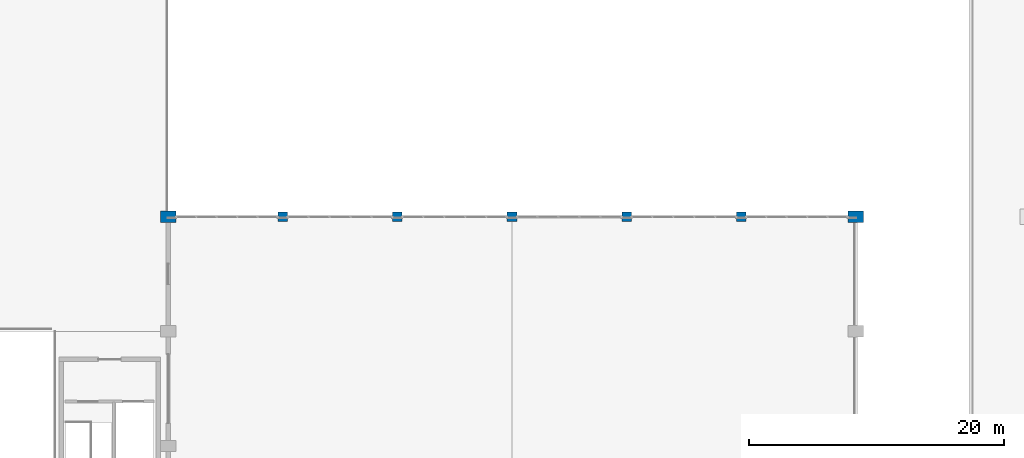
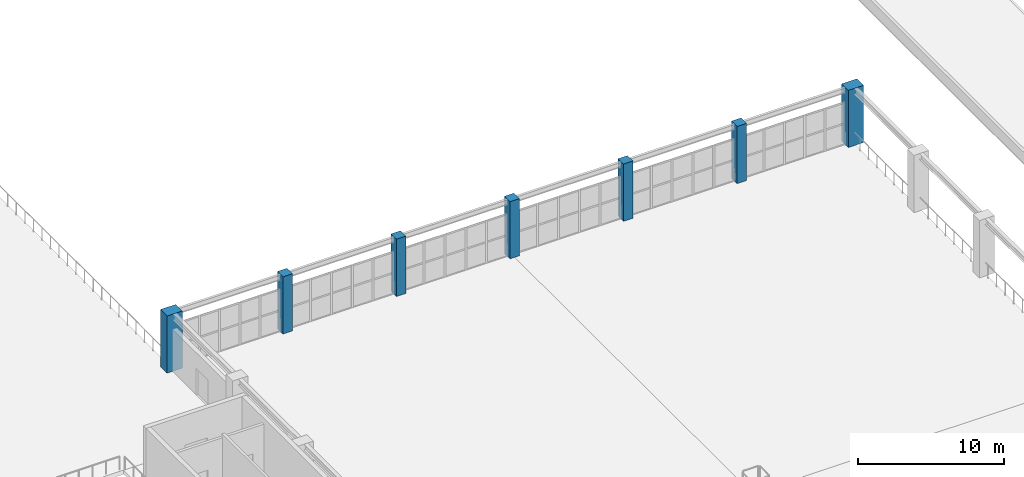
# One storey, part 3 of 89: 7 columns.
"""IFC4 building model written with IfcOpenShell, lengths in metres."""

from ifc_helpers import new_model, si_unit, direction, frame, origin, origin_2d, place, context, subcontext, project, spatial, rectangle, extrude, material, material_profile, profile_set, type_object, element, save


model = new_model("IFC4")

# Units and contexts
model_context = context("Model", 3, precision=1e-05, world=origin(), true_north=direction((0.0, 1.0)))
body_context = subcontext(model_context, "Body", "Model", "MODEL_VIEW")
ifc_project = project(units=[si_unit("LENGTHUNIT", "METRE"), si_unit("AREAUNIT", "SQUARE_METRE"), si_unit("VOLUMEUNIT", "CUBIC_METRE"), si_unit("PLANEANGLEUNIT", "RADIAN"), si_unit("MASSUNIT", "GRAM", prefix="KILO")], contexts=[model_context])

# Site, building, storey
site_placement = place(None, origin())
site = spatial("IfcSite", under=ifc_project, at=site_placement, CompositionType="ELEMENT")
building_placement = place(site_placement, origin())
building = spatial("IfcBuilding", under=site, at=building_placement, Name="Dornveld Trade and Exhibition Forum", CompositionType="ELEMENT")
storey_placement = place(building_placement, frame((0.0, 0.0, 12.0)))
storey = spatial("IfcBuildingStorey", under=building, at=storey_placement, Name="L02", CompositionType="ELEMENT", Elevation=12.0)

# Columns
ifc_material_1 = material(Name="Precast concrete C50/60", Category="concrete")
ifc_material_profile_1 = material_profile(ifc_material_1, rectangle(XDim=1.199951171875, YDim=0.89990234375, at=origin_2d()), Name="PC-PIER 1200x900")
ifc_profile_set_1 = profile_set([ifc_material_profile_1], Name="Precast concrete C50/60")
column_type_1 = type_object("IfcColumnType", Name="COL-PIER1200", PredefinedType="COLUMN", material=ifc_profile_set_1)
for number, where, z_axis, x_axis, name in (
    (1, (27.0, 135.0, 0.0), (0.0, 0.0, 1.0), (1.0, 0.0, 0.0), "L02 column (27.0, 135.0)"),
    (2, (81.0, 135.0, 0.0), (0.0, 0.0, 1.0), (1.0, 0.0, 0.0), "L02 column (81.0, 135.0)"),
):
    element("IfcColumn", number, at=place(storey_placement, frame(where, z_axis=z_axis, x_axis=x_axis)), inside=storey, type_object=column_type_1, Name=name, PredefinedType="COLUMN", context=body_context, shape_type="SweptSolid", body=[
        extrude(rectangle(XDim=1.199951171875, YDim=0.89990234375, at=origin_2d()), origin(), (0.0, 0.0, 1.0), 4.800048828125),
    ])
ifc_material_2 = material(Name="Precast concrete C50/60", Category="concrete")
ifc_material_profile_2 = material_profile(ifc_material_2, rectangle(XDim=0.75, YDim=0.75, at=origin_2d()), Name="PC-COL 750x750")
ifc_profile_set_2 = profile_set([ifc_material_profile_2], Name="Precast concrete C50/60")
column_type_2 = type_object("IfcColumnType", Name="COL-PILASTER750", PredefinedType="PILASTER", material=ifc_profile_set_2)
for number, where, z_axis, x_axis, name in (
    (3, (36.0, 135.0, 0.0), (0.0, 0.0, 1.0), (1.0, 0.0, 0.0), "L02 column (36.0, 135.0)"),
    (4, (45.0, 135.0, 0.0), (0.0, 0.0, 1.0), (1.0, 0.0, 0.0), "L02 column (45.0, 135.0)"),
    (5, (54.0, 135.0, 0.0), (0.0, 0.0, 1.0), (1.0, 0.0, 0.0), "L02 column (54.0, 135.0)"),
    (6, (63.0, 135.0, 0.0), (0.0, 0.0, 1.0), (1.0, 0.0, 0.0), "L02 column (63.0, 135.0)"),
    (7, (72.0, 135.0, 0.0), (0.0, 0.0, 1.0), (1.0, 0.0, 0.0), "L02 column (72.0, 135.0)"),
):
    element("IfcColumn", number, at=place(storey_placement, frame(where, z_axis=z_axis, x_axis=x_axis)), inside=storey, type_object=column_type_2, Name=name, PredefinedType="PILASTER", context=body_context, shape_type="SweptSolid", body=[
        extrude(rectangle(XDim=0.75, YDim=0.75, at=origin_2d()), origin(), (0.0, 0.0, 1.0), 4.800048828125),
    ])

save(model, "model.ifc")
